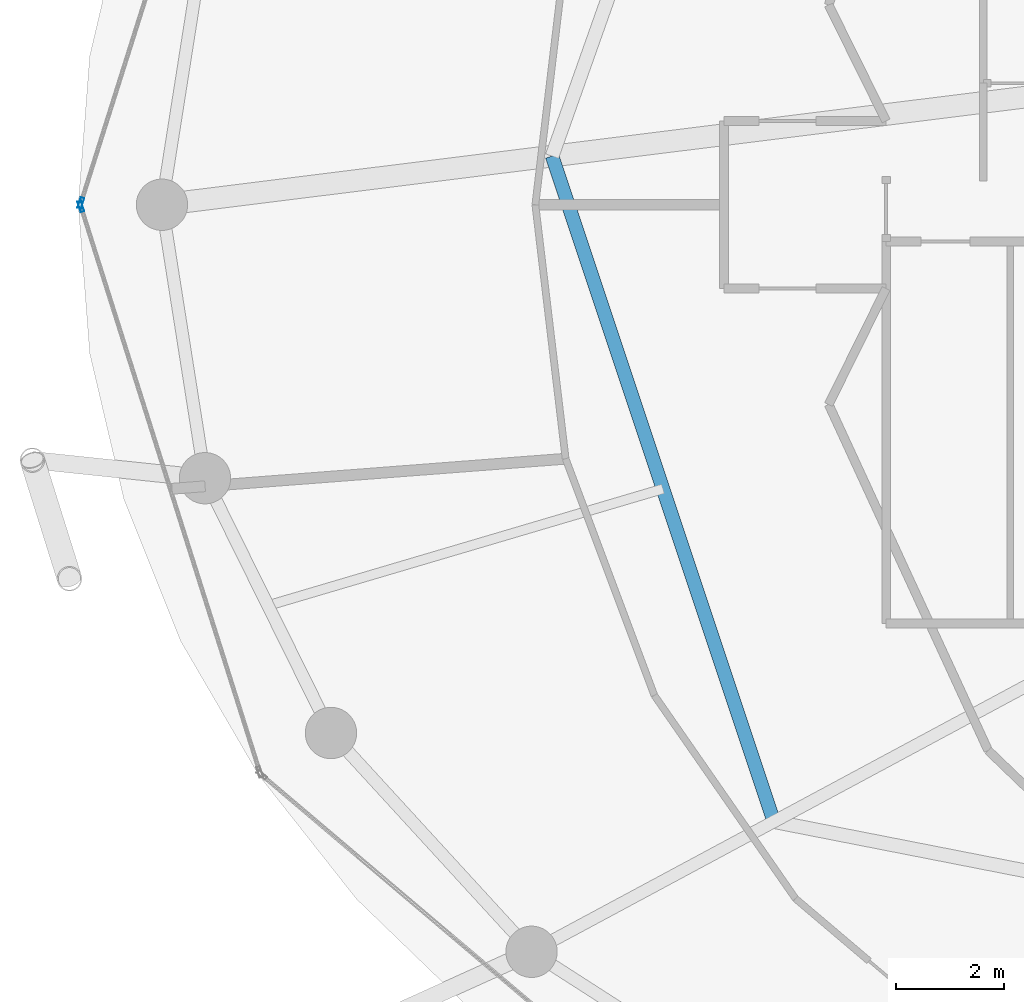
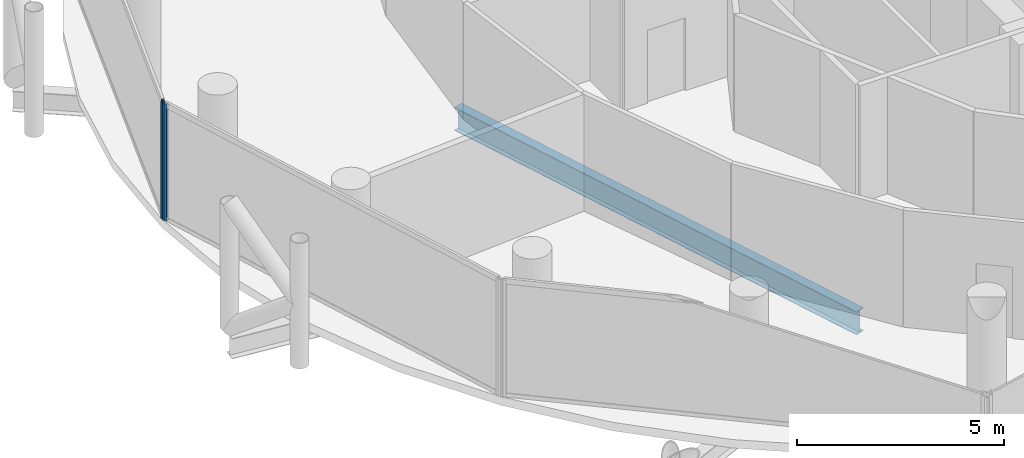
# One storey, part 6 of 26: 2 members, 1 beam, 2 elements without a shape of their own.
"""IFC4 building model written with IfcOpenShell, lengths in metres."""

import ifcopenshell
import ifcopenshell.guid

model = None  # the IFC model being written
_history = None  # IfcOwnerHistory: only IFC2X3 demands one
_inside = {}  # id of a spatial element -> (the spatial element, [elements in it])
_under = {}  # id of a project, library or spatial element -> (it, [spatial elements below it])
_declared = {}  # id of a project -> (the project, [libraries it declares])
_typed = {}  # id of a type object -> (the type object, [elements of that type])
_made_of = {}  # id of a material, layer set ... -> (it, [elements and type objects made of it])


def new_model(schema):
    """Start an empty IFC model of exactly this schema.

    Asked for "IFC4X3", IfcOpenShell would pick the latest addendum, in which some entities
    have other attributes; the version numbers below select the first issue.
    IFC2X3 requires an IfcOwnerHistory on every rooted entity: one is made here for all.
    """
    global model, _history
    if schema == "IFC4X3":
        model = ifcopenshell.file(schema_version=(4, 3, 0, 0))
    else:
        model = ifcopenshell.file(schema=schema)
    _inside.clear()
    _under.clear()
    _declared.clear()
    _typed.clear()
    _made_of.clear()
    _history = None
    if model.schema == "IFC2X3":
        org = make("IfcOrganization", Name="unknown")
        user = make(
            "IfcPersonAndOrganization",
            ThePerson=make("IfcPerson", FamilyName="unknown"),
            TheOrganization=org,
        )
        app = make(
            "IfcApplication",
            ApplicationDeveloper=org,
            Version="unknown",
            ApplicationFullName="unknown",
            ApplicationIdentifier="unknown",
        )
        _history = make(
            "IfcOwnerHistory",
            OwningUser=user,
            OwningApplication=app,
            ChangeAction="ADDED",
            CreationDate=0,
        )
    return model


def make(cls, **values):
    """One entity of the class cls with the attributes given. An attribute that is None is left unset."""
    return model.create_entity(
        cls, **{name: value for name, value in values.items() if value is not None}
    )


def rooted(cls, **values):
    """An entity with a GlobalId (a new one), such as an element, a storey or a relation."""
    return make(cls, GlobalId=ifcopenshell.guid.new(), OwnerHistory=_history, **values)


def si_unit(unit_type, name, prefix=None):
    """IfcSIUnit, for example si_unit("LENGTHUNIT", "METRE", prefix="MILLI")."""
    return make("IfcSIUnit", UnitType=unit_type, Prefix=prefix, Name=name)


def assignment(units):
    """IfcUnitAssignment: the units of a project."""
    return None if units is None else make("IfcUnitAssignment", Units=units)


def point(xyz):
    """IfcCartesianPoint."""
    return None if xyz is None else make("IfcCartesianPoint", Coordinates=xyz)


def direction(xyz):
    """IfcDirection."""
    return None if xyz is None else make("IfcDirection", DirectionRatios=xyz)


def frame(location, z_axis=None, x_axis=None):
    """IfcAxis2Placement3D, a coordinate frame: its origin and axes. An axis left out is left unset."""
    return make(
        "IfcAxis2Placement3D",
        Location=point(location),
        Axis=direction(z_axis),
        RefDirection=direction(x_axis),
    )


def frame_2d(location, x_axis=None):
    """IfcAxis2Placement2D, a coordinate frame in the plane: its origin and x axis."""
    return make(
        "IfcAxis2Placement2D", Location=point(location), RefDirection=direction(x_axis)
    )


def origin():
    """The frame at (0, 0, 0) with its axes left unset."""
    return frame((0.0, 0.0, 0.0))


def origin_2d():
    """The frame at (0, 0) in the plane with its x axis left unset."""
    return frame_2d((0.0, 0.0))


def place(relative_to, where):
    """IfcLocalPlacement: puts the frame where relative to a parent placement (None: the world)."""
    return make(
        "IfcLocalPlacement", PlacementRelTo=relative_to, RelativePlacement=where
    )


def context(
    kind, dimensions, precision=None, world=None, true_north=None, identifier=None
):
    """IfcGeometricRepresentationContext, for example the 3D "Model" context."""
    return make(
        "IfcGeometricRepresentationContext",
        ContextIdentifier=identifier,
        ContextType=kind,
        CoordinateSpaceDimension=dimensions,
        Precision=precision,
        WorldCoordinateSystem=world,
        TrueNorth=true_north,
    )


def subcontext(parent, identifier, kind, view, scale=None):
    """IfcGeometricRepresentationSubContext, for example "Body" below "Model"."""
    return make(
        "IfcGeometricRepresentationSubContext",
        ContextIdentifier=identifier,
        ContextType=kind,
        ParentContext=parent,
        TargetScale=scale,
        TargetView=view,
    )


def project(units=None, contexts=None):
    """IfcProject with its units and contexts."""
    return rooted(
        "IfcProject",
        Name="project",
        RepresentationContexts=contexts,
        UnitsInContext=assignment(units),
    )


def spatial(cls, under=None, at=None, **own):
    """A site, building, storey or space (cls), placed at a placement, below another one or the project."""
    s = rooted(cls, ObjectPlacement=at, **own)
    if under is not None:
        _under.setdefault(under.id(), (under, []))[1].append(s)
    return s


def profile(cls, at=None, kind="AREA", **sizes):
    """A parametric profile (cls). Its sizes go by their IFC names, for example OverallWidth=200.0."""
    return make(cls, ProfileType=kind, Position=at, **sizes)


def hollow_rectangle(**sizes):
    """IfcRectangleHollowProfileDef."""
    return profile("IfcRectangleHollowProfileDef", **sizes)


def i_section(**sizes):
    """IfcIShapeProfileDef."""
    return profile("IfcIShapeProfileDef", **sizes)


def extrude(swept, where, along, depth):
    """IfcExtrudedAreaSolid: the profile swept, set in the frame where, extruded along a direction by depth."""
    return make(
        "IfcExtrudedAreaSolid",
        SweptArea=swept,
        Position=where,
        ExtrudedDirection=direction(along),
        Depth=depth,
    )


def shape(context_of_items, identifier, shape_type, items):
    """IfcShapeRepresentation: the items that make up one representation, for example the "Body"."""
    return make(
        "IfcShapeRepresentation",
        ContextOfItems=context_of_items,
        RepresentationIdentifier=identifier,
        RepresentationType=shape_type,
        Items=items,
    )


def material(Name=None, Category=None):
    """IfcMaterial."""
    return make("IfcMaterial", Name=Name, Category=Category)


def layer(
    of_material, thickness, ventilated=None, Name=None, Category=None, Priority=None
):
    """IfcMaterialLayer: one layer of a wall or slab, of a material (None: an air gap)."""
    return make(
        "IfcMaterialLayer",
        Material=of_material,
        LayerThickness=thickness,
        IsVentilated=ventilated,
        Name=Name,
        Category=Category,
        Priority=Priority,
    )


def layer_set(layers, Name=None):
    """IfcMaterialLayerSet."""
    return make("IfcMaterialLayerSet", MaterialLayers=layers, LayerSetName=Name)


def material_profile(
    of_material, cross_section, Name=None, Category=None, Priority=None
):
    """IfcMaterialProfile: a cross section and its material."""
    return make(
        "IfcMaterialProfile",
        Name=Name,
        Material=of_material,
        Profile=cross_section,
        Priority=Priority,
        Category=Category,
    )


def profile_set(profiles, Name=None, composite=None):
    """IfcMaterialProfileSet."""
    return make(
        "IfcMaterialProfileSet",
        Name=Name,
        MaterialProfiles=profiles,
        CompositeProfile=composite,
    )


def made_of(thing, what):
    """Note that an element or type object is made of a material, layer set ...; save() writes the relation."""
    if what is not None:
        _made_of.setdefault(what.id(), (what, []))[1].append(thing)
    return thing


def type_object(cls, material=None, **own):
    """A type object (cls), such as IfcWallType, which elements share."""
    return made_of(rooted(cls, **own), material)


def element(
    cls,
    number,
    at=None,
    inside=None,
    cuts=None,
    type_object=None,
    material=None,
    context=None,
    identifier="Body",
    shape_type=None,
    held_by="IfcProductDefinitionShape",
    body=None,
    shapes=None,
    **own,
):
    """One element of the class cls, such as IfcWall. Its Tag is "e" and its number.

    at: its placement. inside: the storey or other place that contains it. cuts: it is an
    opening in that element (IfcRelVoidsElement). A single representation is given by context,
    identifier, shape_type and body (its items); several are given by shapes. held_by: the class
    of the entity that holds the representations. save() writes the other relations.
    """
    e = rooted(cls, Tag="e%d" % number, ObjectPlacement=at, **own)
    if body is not None:
        shapes = [shape(context, identifier, shape_type, body)]
    if shapes is not None:
        e.Representation = make(held_by, Representations=shapes)
    if inside is not None:
        _inside.setdefault(inside.id(), (inside, []))[1].append(e)
    if cuts is not None:
        rooted(
            "IfcRelVoidsElement", RelatingBuildingElement=cuts, RelatedOpeningElement=e
        )
    if type_object is not None:
        _typed.setdefault(type_object.id(), (type_object, []))[1].append(e)
    return made_of(e, material)


def aggregate(whole, parts):
    """IfcRelAggregates: a whole, such as a stair, and the parts it consists of."""
    return rooted("IfcRelAggregates", RelatingObject=whole, RelatedObjects=parts)


def save(model, path):
    """Write the relations noted so far, then the file.

    IfcRelAggregates (storeys below a building ...), IfcRelContainedInSpatialStructure (elements
    in a storey), IfcRelDefinesByType, IfcRelAssociatesMaterial and IfcRelDeclares: one each for
    every whole, place, type object, material and project.
    """
    for whole, parts in _under.values():
        aggregate(whole, parts)
    for where, things in _inside.values():
        rooted(
            "IfcRelContainedInSpatialStructure",
            RelatedElements=things,
            RelatingStructure=where,
        )
    for kind, things in _typed.values():
        rooted("IfcRelDefinesByType", RelatedObjects=things, RelatingType=kind)
    for what, things in _made_of.values():
        rooted("IfcRelAssociatesMaterial", RelatedObjects=things, RelatingMaterial=what)
    for by, libraries in _declared.values():
        rooted("IfcRelDeclares", RelatingContext=by, RelatedDefinitions=libraries)
    model.write(path)


model = new_model("IFC4")

# Units and contexts
model_context = context("Model", 3, precision=1e-05, world=origin(), true_north=direction((0.0, 1.0)))
body_context = subcontext(model_context, "Body", "Model", "MODEL_VIEW")
ifc_project = project(units=[si_unit("LENGTHUNIT", "METRE"), si_unit("AREAUNIT", "SQUARE_METRE"), si_unit("VOLUMEUNIT", "CUBIC_METRE"), si_unit("PLANEANGLEUNIT", "RADIAN"), si_unit("MASSUNIT", "GRAM", prefix="KILO")], contexts=[model_context])

# Site, building, storey
site_placement = place(None, origin())
site = spatial("IfcSite", under=ifc_project, at=site_placement, CompositionType="ELEMENT")
building_placement = place(site_placement, origin())
building = spatial("IfcBuilding", under=site, at=building_placement, Name="Nuhasar Tower", CompositionType="ELEMENT")
storey_placement = place(building_placement, frame((0.0, 0.0, 144.14990234375)))
storey = spatial("IfcBuildingStorey", under=building, at=storey_placement, Name="L34", CompositionType="ELEMENT", Elevation=144.14990234375)

# Beam
ifc_material_1 = material(Name="Steel S355", Category="steel")
ifc_material_profile_1 = material_profile(ifc_material_1, i_section(OverallWidth=0.25390625, OverallDepth=0.68408203125, WebThickness=0.012451171875, FlangeThickness=0.018798828125, at=origin_2d()), Name="W27X94")
ifc_profile_set_1 = profile_set([ifc_material_profile_1], Name="Steel S355")
beam_type = type_object("IfcBeamType", Name="BM-INRING-W27X94", PredefinedType="BEAM", material=ifc_profile_set_1)
beam_placement = place(storey_placement, frame((22.8701171875, 27.699951171875, -0.591796875), z_axis=(0.31609797573, -0.948726551615, 0.0), x_axis=(0.948726551615, 0.31609797573, 0.0)))
element("IfcBeam", 1, at=beam_placement, inside=storey, type_object=beam_type, Name="L34 Inner Header Beam 08", PredefinedType="BEAM", context=body_context, shape_type="SweptSolid", body=[
    extrude(i_section(OverallWidth=0.25390625, OverallDepth=0.68408203125, WebThickness=0.012451171875, FlangeThickness=0.018798828125, at=origin_2d()), origin(), (0.0, 0.0, 1.0), 12.9794921875),
])

# Curtain wall, member
ifc_material_2 = material(Name="Aluminium 6063-T6", Category="aluminium")
ifc_layer = layer(ifc_material_2, 0.199951171875)
ifc_layer_set = layer_set([ifc_layer], Name="Aluminium 6063-T6")
curtain_wall_type = type_object("IfcCurtainWallType", Name="CW-Z2-HTL", PredefinedType="NOTDEFINED", material=ifc_layer_set)
curtain_wall_1_placement = place(storey_placement, origin())
curtain_wall_1 = element("IfcCurtainWall", 2, at=curtain_wall_1_placement, inside=storey, type_object=curtain_wall_type, Name="L34 Unitised Curtain Wall 06", PredefinedType="NOTDEFINED")
ifc_material_profile_2 = material_profile(ifc_material_2, hollow_rectangle(XDim=0.070068359375, YDim=0.199951171875, WallThickness=0.0048828125, at=origin_2d()), Name="CWM-3")
ifc_profile_set_2 = profile_set([ifc_material_profile_2], Name="Aluminium 6063-T6")
member_type = type_object("IfcMemberType", Name="CW-MUL-S3", PredefinedType="MULLION", material=ifc_profile_set_2)
member_1_placement = place(storey_placement, frame((14.150634765625, 26.833251953125, 0.0), z_axis=(0.0, 0.0, 1.0), x_axis=(0.953433389233, -0.301603667577, 0.0)))
member_1 = element("IfcMember", 3, at=member_1_placement, type_object=member_type, Name="CW-Z2 mullion 2", PredefinedType="MULLION", context=body_context, shape_type="SweptSolid", body=[
    extrude(hollow_rectangle(XDim=0.070068359375, YDim=0.199951171875, WallThickness=0.0048828125, at=origin_2d()), origin(), (0.0, 0.0, 1.0), 3.4501953125),
])
aggregate(curtain_wall_1, [member_1])

curtain_wall_2_placement = place(storey_placement, origin())
curtain_wall_2 = element("IfcCurtainWall", 4, at=curtain_wall_2_placement, inside=storey, type_object=curtain_wall_type, Name="L34 Unitised Curtain Wall 07", PredefinedType="NOTDEFINED")
member_2_placement = place(storey_placement, frame((14.150634765625, 26.7666015625, 0.0), z_axis=(0.0, 0.0, 1.0), x_axis=(0.953433389233, 0.301603667577, 0.0)))
member_2 = element("IfcMember", 5, at=member_2_placement, type_object=member_type, Name="CW-Z2 mullion 1", PredefinedType="MULLION", context=body_context, shape_type="SweptSolid", body=[
    extrude(hollow_rectangle(XDim=0.070068359375, YDim=0.199951171875, WallThickness=0.0048828125, at=origin_2d()), origin(), (0.0, 0.0, 1.0), 3.4501953125),
])
aggregate(curtain_wall_2, [member_2])

save(model, "model.ifc")
